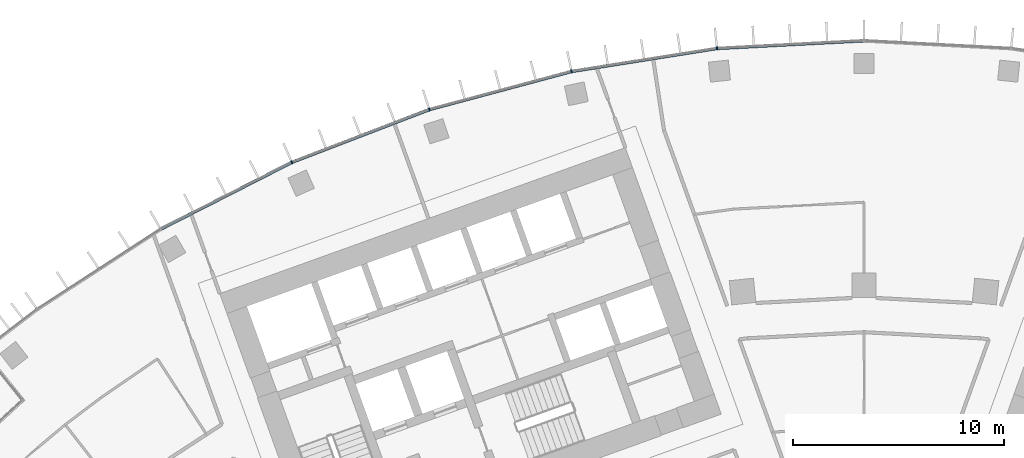
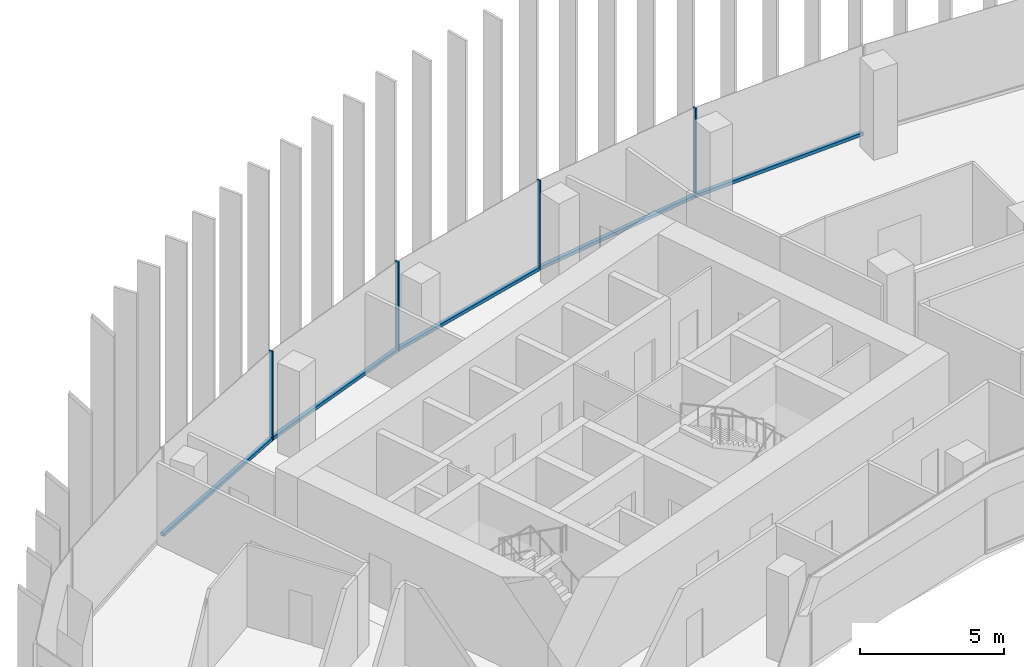
# One storey, part 5 of 20: 9 members, 1 element without a shape of its own.
"""IFC4 building model written with IfcOpenShell, lengths in metres."""

from ifc_helpers import new_model, si_unit, direction, frame, origin, origin_2d, place, context, subcontext, project, spatial, rectangle, extrude, material, layer, layer_set, material_profile, profile_set, type_object, element, aggregate, save


model = new_model("IFC4")

# Units and contexts
model_context = context("Model", 3, precision=1e-05, world=origin(), true_north=direction((0.0, 1.0)))
body_context = subcontext(model_context, "Body", "Model", "MODEL_VIEW")
ifc_project = project(units=[si_unit("LENGTHUNIT", "METRE"), si_unit("AREAUNIT", "SQUARE_METRE"), si_unit("VOLUMEUNIT", "CUBIC_METRE"), si_unit("PLANEANGLEUNIT", "RADIAN"), si_unit("MASSUNIT", "GRAM", prefix="KILO")], contexts=[model_context])

# Site, building, storey
site_placement = place(None, origin())
site = spatial("IfcSite", under=ifc_project, at=site_placement, CompositionType="ELEMENT")
building_placement = place(site_placement, origin())
building = spatial("IfcBuilding", under=site, at=building_placement, Name="Stone Belt Terrace Tower", CompositionType="ELEMENT")
storey_placement = place(building_placement, frame((0.0, 0.0, 201.0)))
storey = spatial("IfcBuildingStorey", under=building, at=storey_placement, Name="L48", CompositionType="ELEMENT", Elevation=201.0)

# Curtain wall, members
ifc_material = material(Name="Aluminium 6063-T6 anodised frame", Category="aluminium")
ifc_layer = layer(ifc_material, 0.14990234375)
ifc_layer_set = layer_set([ifc_layer], Name="CW-A unitised convex-face curtain wall")
curtain_wall_type = type_object("IfcCurtainWallType", Name="CW-A unitised convex-face curtain wall", PredefinedType="NOTDEFINED", material=ifc_layer_set)
curtain_wall_placement = place(storey_placement, origin())
curtain_wall = element("IfcCurtainWall", 1, at=curtain_wall_placement, inside=storey, type_object=curtain_wall_type, Name="CW-A convex face L48", PredefinedType="NOTDEFINED")
ifc_material_profile_1 = material_profile(ifc_material, rectangle(XDim=0.14990234375, YDim=0.06005859375, at=origin_2d()), Name="Aluminium 6063-T6 60x150")
ifc_profile_set_1 = profile_set([ifc_material_profile_1], Name="Aluminium 6063-T6 anodised frame")
member_type_1 = type_object("IfcMemberType", Name="CW-A mullion 60 x 150", PredefinedType="MULLION", material=ifc_profile_set_1)
member_1_placement = place(storey_placement, frame((-6.958984375, 66.21044921875, 0.0), z_axis=(0.0, 0.0, 1.0), x_axis=(0.104528463268, -0.994521895368, 0.0)))
member_1 = element("IfcMember", 2, at=member_1_placement, type_object=member_type_1, Name="CW-A mullion 10", PredefinedType="MULLION", context=body_context, shape_type="SweptSolid", body=[
    extrude(rectangle(XDim=0.14990234375, YDim=0.06005859375, at=origin_2d()), origin(), (0.0, 0.0, 1.0), 3.800048828125),
])
member_2_placement = place(storey_placement, frame((-13.841796875, 65.120361328125, 0.0), z_axis=(0.0, 0.0, 1.0), x_axis=(0.207911690818, -0.978147600734, 0.0)))
member_2 = element("IfcMember", 3, at=member_2_placement, type_object=member_type_1, Name="CW-A mullion 11", PredefinedType="MULLION", context=body_context, shape_type="SweptSolid", body=[
    extrude(rectangle(XDim=0.14990234375, YDim=0.06005859375, at=origin_2d()), origin(), (0.0, 0.0, 1.0), 3.800048828125),
])
member_3_placement = place(storey_placement, frame((-20.57275390625, 63.316650390625, 0.0), z_axis=(0.0, 0.0, 1.0), x_axis=(0.309016994375, -0.951056516295, 0.0)))
member_3 = element("IfcMember", 4, at=member_3_placement, type_object=member_type_1, Name="CW-A mullion 12", PredefinedType="MULLION", context=body_context, shape_type="SweptSolid", body=[
    extrude(rectangle(XDim=0.14990234375, YDim=0.06005859375, at=origin_2d()), origin(), (0.0, 0.0, 1.0), 3.800048828125),
])
member_4_placement = place(storey_placement, frame((-27.07861328125, 60.8193359375, 0.0), z_axis=(0.0, 0.0, 1.0), x_axis=(0.406736643076, -0.913545457643, 0.0)))
member_4 = element("IfcMember", 5, at=member_4_placement, type_object=member_type_1, Name="CW-A mullion 13", PredefinedType="MULLION", context=body_context, shape_type="SweptSolid", body=[
    extrude(rectangle(XDim=0.14990234375, YDim=0.06005859375, at=origin_2d()), origin(), (0.0, 0.0, 1.0), 3.800048828125),
])
ifc_material_profile_2 = material_profile(ifc_material, rectangle(XDim=0.14990234375, YDim=0.139892578125, at=origin_2d()), Name="Aluminium 6063-T6 150x140")
ifc_profile_set_2 = profile_set([ifc_material_profile_2], Name="Aluminium 6063-T6 anodised frame")
member_type_2 = type_object("IfcMemberType", Name="CW-A transom 140 x 150", PredefinedType="USERDEFINED", material=ifc_profile_set_2)
member_5_placement = place(storey_placement, frame((-0.033935546875, 66.5732421875, 0.070068359375), z_axis=(-0.998630019135, -0.052326712899, 0.0), x_axis=(0.052326712899, -0.998630019135, 0.0)))
member_5 = element("IfcMember", 6, at=member_5_placement, type_object=member_type_2, Name="CW-A transom 9.1", ObjectType="TRANSOM", PredefinedType="USERDEFINED", context=body_context, shape_type="SweptSolid", body=[
    extrude(rectangle(XDim=0.14990234375, YDim=0.139892578125, at=origin_2d()), origin(), (0.0, 0.0, 1.0), 6.900634765625),
])
member_6_placement = place(storey_placement, frame((-6.992431640625, 66.205078125, 0.070068359375), z_axis=(-0.987687120531, -0.156442168027, 0.0), x_axis=(0.156442168027, -0.987687120531, 0.0)))
member_6 = element("IfcMember", 7, at=member_6_placement, type_object=member_type_2, Name="CW-A transom 10.1", ObjectType="TRANSOM", PredefinedType="USERDEFINED", context=body_context, shape_type="SweptSolid", body=[
    extrude(rectangle(XDim=0.14990234375, YDim=0.139892578125, at=origin_2d()), origin(), (0.0, 0.0, 1.0), 6.90087890625),
])
member_7_placement = place(storey_placement, frame((-13.87451171875, 65.111572265625, 0.070068359375), z_axis=(-0.965921835863, -0.258833937117, 0.0), x_axis=(0.258833937117, -0.965921835863, 0.0)))
member_7 = element("IfcMember", 8, at=member_7_placement, type_object=member_type_2, Name="CW-A transom 11.1", ObjectType="TRANSOM", PredefinedType="USERDEFINED", context=body_context, shape_type="SweptSolid", body=[
    extrude(rectangle(XDim=0.14990234375, YDim=0.139892578125, at=origin_2d()), origin(), (0.0, 0.0, 1.0), 6.900634765625),
])
member_8_placement = place(storey_placement, frame((-20.6044921875, 63.304443359375, 0.070068359375), z_axis=(-0.933585210269, -0.358355487146, 0.0), x_axis=(0.358355487146, -0.933585210269, 0.0)))
member_8 = element("IfcMember", 9, at=member_8_placement, type_object=member_type_2, Name="CW-A transom 12.1", ObjectType="TRANSOM", PredefinedType="USERDEFINED", context=body_context, shape_type="SweptSolid", body=[
    extrude(rectangle(XDim=0.14990234375, YDim=0.139892578125, at=origin_2d()), origin(), (0.0, 0.0, 1.0), 6.900634765625),
])
member_9_placement = place(storey_placement, frame((-27.108642578125, 60.803955078125, 0.070068359375), z_axis=(-0.891012226264, -0.453979308613, 0.0), x_axis=(0.453979308613, -0.891012226264, 0.0)))
member_9 = element("IfcMember", 10, at=member_9_placement, type_object=member_type_2, Name="CW-A transom 13.1", ObjectType="TRANSOM", PredefinedType="USERDEFINED", context=body_context, shape_type="SweptSolid", body=[
    extrude(rectangle(XDim=0.14990234375, YDim=0.139892578125, at=origin_2d()), origin(), (0.0, 0.0, 1.0), 6.90087890625),
])
aggregate(curtain_wall, [member_1, member_2, member_3, member_4, member_5, member_6, member_7, member_8, member_9])

save(model, "model.ifc")
